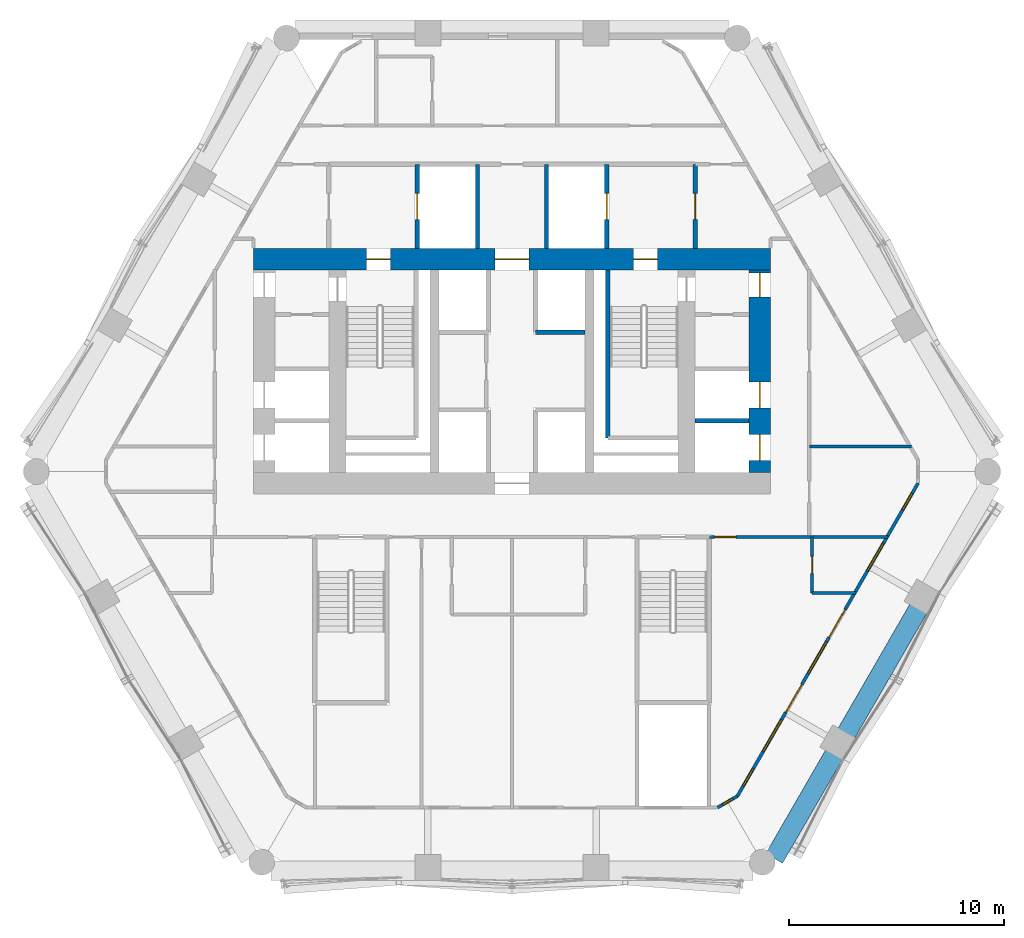
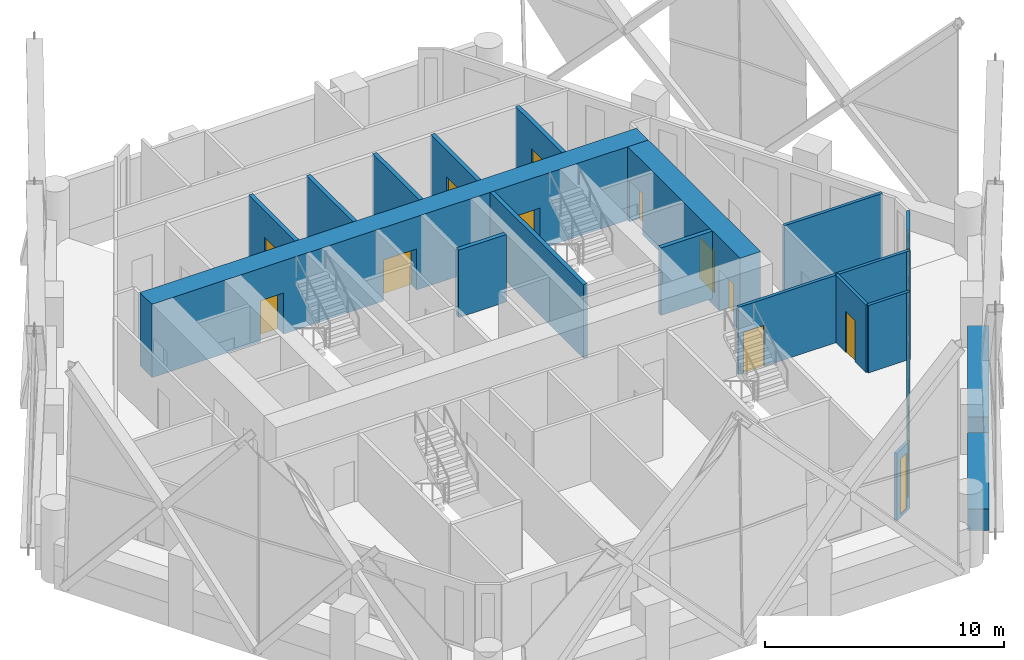
# One storey, part 14 of 21: 18 walls, 13 doors, 6 windows, 19 openings.
"""IFC4 building model written with IfcOpenShell, lengths in metres."""

from ifc_helpers import new_model, si_unit, direction, frame, frame_2d, origin, place, context, subcontext, project, spatial, rectangle, extrude, material, layer, layer_set, type_object, element, fill, save


model = new_model("IFC4")

# Units and contexts
model_context = context("Model", 3, precision=1e-05, world=origin(), true_north=direction((0.0, 1.0)))
body_context = subcontext(model_context, "Body", "Model", "MODEL_VIEW")
ifc_project = project(units=[si_unit("LENGTHUNIT", "METRE"), si_unit("AREAUNIT", "SQUARE_METRE"), si_unit("VOLUMEUNIT", "CUBIC_METRE"), si_unit("PLANEANGLEUNIT", "RADIAN"), si_unit("MASSUNIT", "GRAM", prefix="KILO")], contexts=[model_context])

# Site, building, storey
site_placement = place(None, origin())
site = spatial("IfcSite", under=ifc_project, at=site_placement, CompositionType="ELEMENT")
building_placement = place(site_placement, origin())
building = spatial("IfcBuilding", under=site, at=building_placement, Name="Ostrander Bayou Hotel Tower", CompositionType="ELEMENT")
storey_placement = place(building_placement, frame((0.0, 0.0, 116.0)))
storey = spatial("IfcBuildingStorey", under=building, at=storey_placement, Name="L28", CompositionType="ELEMENT", Elevation=116.0)

# Wall, openings, doors
ifc_material_1 = material(Name="Concrete f'c 70 MPa", Category="concrete")
ifc_layer_1 = layer(ifc_material_1, 1.0)
ifc_layer_set_1 = layer_set([ifc_layer_1], Name="CW4 core wall 1000 mm f'c 70 MPa")
wall_type_1 = type_object("IfcWallType", Name="CW4 core wall 1000 mm f'c 70 MPa", PredefinedType="SHEAR", material=ifc_layer_set_1)
wall_1_placement = place(storey_placement, frame((-12.0, 9.199951171875, -0.300048828125), z_axis=(0.0, 0.0, 1.0), x_axis=(1.0, 0.0, 0.0)))
wall_1 = element("IfcWall", 1, at=wall_1_placement, inside=storey, type_object=wall_type_1, Name="CW4 L28 N", PredefinedType="SHEAR", context=body_context, shape_type="SweptSolid", body=[
    extrude(rectangle(XDim=24.0, YDim=1.0, at=frame_2d((12.0, 0.0))), origin(), (0.0, 0.0, 1.0), 3.75),
])
opening_1_placement = place(wall_1_placement, frame((11.199951171875, 0.0, 0.0)))
opening_1 = element("IfcOpeningElement", 2, at=opening_1_placement, cuts=wall_1, Name="Opening T28-002", PredefinedType="OPENING", context=body_context, shape_type="SweptSolid", body=[
    extrude(rectangle(XDim=1.60009765625, YDim=2.10009765625, at=frame_2d((0.800048828125, 1.050048828125))), frame((0.0, 0.5, 0.0), z_axis=(0.0, -1.0, 0.0), x_axis=(1.0, 0.0, 0.0)), (0.0, 0.0, 1.0), 1.0),
])
opening_2_placement = place(wall_1_placement, frame((5.25, 0.0, 0.0)))
opening_2 = element("IfcOpeningElement", 3, at=opening_2_placement, cuts=wall_1, Name="Opening T28-003", PredefinedType="OPENING", context=body_context, shape_type="SweptSolid", body=[
    extrude(rectangle(XDim=1.10009765625, YDim=2.10009765625, at=frame_2d((0.550048828125, 1.050048828125))), frame((0.0, 0.5, 0.0), z_axis=(0.0, -1.0, 0.0), x_axis=(1.0, 0.0, 0.0)), (0.0, 0.0, 1.0), 1.0),
])
opening_3_placement = place(wall_1_placement, frame((17.64990234375, 0.0, 0.0)))
opening_3 = element("IfcOpeningElement", 4, at=opening_3_placement, cuts=wall_1, Name="Opening T28-005", PredefinedType="OPENING", context=body_context, shape_type="SweptSolid", body=[
    extrude(rectangle(XDim=1.10009765625, YDim=2.10009765625, at=frame_2d((0.550048828125, 1.050048828125))), frame((0.0, 0.5, 0.0), z_axis=(0.0, -1.0, 0.0), x_axis=(1.0, 0.0, 0.0)), (0.0, 0.0, 1.0), 1.0),
])
ifc_material_2 = material(Name="Timber door leaf", Category="wood")
door_type_1 = type_object("IfcDoorType", Name="D13 double door 1600 x 2100 mm, 1 hour", OperationType="SINGLE_SWING_LEFT", PredefinedType="DOOR", material=ifc_material_2)
door_1_placement = place(opening_1_placement, origin())
door_1 = element("IfcDoor", 5, at=door_1_placement, inside=storey, type_object=door_type_1, Name="dr:L28:002", OperationType="DOUBLE_DOOR_SINGLE_SWING", OverallHeight=2.10009765625, OverallWidth=1.60009765625, PredefinedType="DOOR", context=body_context, shape_type="SweptSolid", body=[
    extrude(rectangle(XDim=1.60009765625, YDim=2.10009765625, at=frame_2d((0.800048828125, 1.050048828125))), frame((0.0, 0.02490234375, 0.0), z_axis=(0.0, -1.0, 0.0), x_axis=(1.0, 0.0, 0.0)), (0.0, 0.0, 1.0), 0.050048828125),
])
fill(opening_1, door_1)
ifc_material_3 = material(Name="Timber door leaf", Category="wood")
door_type_2 = type_object("IfcDoorType", Name="D5 stair door 1100 x 2100 mm, 90 minute", OperationType="SINGLE_SWING_LEFT", PredefinedType="DOOR", material=ifc_material_3)
door_2_placement = place(opening_2_placement, origin())
door_2 = element("IfcDoor", 6, at=door_2_placement, inside=storey, type_object=door_type_2, Name="dr:L28:003", OperationType="SINGLE_SWING_LEFT", OverallHeight=2.10009765625, OverallWidth=1.10009765625, PredefinedType="DOOR", context=body_context, shape_type="SweptSolid", body=[
    extrude(rectangle(XDim=1.10009765625, YDim=2.10009765625, at=frame_2d((0.550048828125, 1.050048828125))), frame((0.0, 0.02490234375, 0.0), z_axis=(0.0, -1.0, 0.0), x_axis=(1.0, 0.0, 0.0)), (0.0, 0.0, 1.0), 0.050048828125),
])
fill(opening_2, door_2)
door_3_placement = place(opening_3_placement, origin())
door_3 = element("IfcDoor", 7, at=door_3_placement, inside=storey, type_object=door_type_2, Name="dr:L28:005", OperationType="SINGLE_SWING_RIGHT", OverallHeight=2.10009765625, OverallWidth=1.10009765625, PredefinedType="DOOR", context=body_context, shape_type="SweptSolid", body=[
    extrude(rectangle(XDim=1.10009765625, YDim=2.10009765625, at=frame_2d((0.550048828125, 1.050048828125))), frame((0.0, 0.02490234375, 0.0), z_axis=(0.0, -1.0, 0.0), x_axis=(1.0, 0.0, 0.0)), (0.0, 0.0, 1.0), 0.050048828125),
])
fill(opening_3, door_3)

wall_2_placement = place(storey_placement, frame((11.5, -0.699951171875, -0.300048828125), z_axis=(0.0, 0.0, 1.0), x_axis=(0.0, 1.0, 0.0)))
wall_2 = element("IfcWall", 8, at=wall_2_placement, inside=storey, type_object=wall_type_1, Name="CW4 L28 RE", PredefinedType="SHEAR", context=body_context, shape_type="SweptSolid", body=[
    extrude(rectangle(XDim=9.39990234375, YDim=1.0, at=frame_2d((4.699951171875, 0.0))), origin(), (0.0, 0.0, 1.0), 3.75),
])
opening_4_placement = place(wall_2_placement, frame((8.14990234375, 0.0, 0.0)))
opening_4 = element("IfcOpeningElement", 9, at=opening_4_placement, cuts=wall_2, Name="Opening T28-020", PredefinedType="OPENING", context=body_context, shape_type="SweptSolid", body=[
    extrude(rectangle(XDim=1.10009765625, YDim=2.10009765625, at=frame_2d((0.550048828125, 1.050048828125))), frame((0.0, 0.5, 0.0), z_axis=(0.0, -1.0, 0.0), x_axis=(1.0, 0.0, 0.0)), (0.0, 0.0, 1.0), 1.0),
])
opening_5_placement = place(wall_2_placement, frame((0.550048828125, 0.0, 0.0)))
opening_5 = element("IfcOpeningElement", 10, at=opening_5_placement, cuts=wall_2, Name="Opening T28-021", PredefinedType="OPENING", context=body_context, shape_type="SweptSolid", body=[
    extrude(rectangle(XDim=1.199951171875, YDim=2.10009765625, at=frame_2d((0.60009765625, 1.050048828125))), frame((0.0, 0.5, 0.0), z_axis=(0.0, -1.0, 0.0), x_axis=(1.0, 0.0, 0.0)), (0.0, 0.0, 1.0), 1.0),
])
opening_6_placement = place(wall_2_placement, frame((3.0, 0.0, 0.0)))
opening_6 = element("IfcOpeningElement", 11, at=opening_6_placement, cuts=wall_2, Name="Opening T28-022", PredefinedType="OPENING", context=body_context, shape_type="SweptSolid", body=[
    extrude(rectangle(XDim=1.199951171875, YDim=2.10009765625, at=frame_2d((0.60009765625, 1.050048828125))), frame((0.0, 0.5, 0.0), z_axis=(0.0, -1.0, 0.0), x_axis=(1.0, 0.0, 0.0)), (0.0, 0.0, 1.0), 1.0),
])
door_4_placement = place(opening_4_placement, origin())
door_4 = element("IfcDoor", 12, at=door_4_placement, inside=storey, type_object=door_type_2, Name="dr:L28:020", OperationType="SINGLE_SWING_RIGHT", OverallHeight=2.10009765625, OverallWidth=1.10009765625, PredefinedType="DOOR", context=body_context, shape_type="SweptSolid", body=[
    extrude(rectangle(XDim=1.10009765625, YDim=2.10009765625, at=frame_2d((0.550048828125, 1.050048828125))), frame((0.0, 0.02490234375, 0.0), z_axis=(0.0, -1.0, 0.0), x_axis=(1.0, 0.0, 0.0)), (0.0, 0.0, 1.0), 0.050048828125),
])
fill(opening_4, door_4)
ifc_material_4 = material(Name="Stainless steel sliding door", Category="steel")
door_type_3 = type_object("IfcDoorType", Name="LD1 lift landing door 1200 x 2100 mm", OperationType="SINGLE_SWING_LEFT", PredefinedType="DOOR", material=ifc_material_4)
door_5_placement = place(opening_5_placement, origin())
door_5 = element("IfcDoor", 13, at=door_5_placement, inside=storey, type_object=door_type_3, Name="dr:L28:021", OperationType="SLIDING_TO_LEFT", OverallHeight=2.10009765625, OverallWidth=1.199951171875, PredefinedType="DOOR", context=body_context, shape_type="SweptSolid", body=[
    extrude(rectangle(XDim=1.199951171875, YDim=2.10009765625, at=frame_2d((0.60009765625, 1.050048828125))), frame((0.0, 0.02490234375, 0.0), z_axis=(0.0, -1.0, 0.0), x_axis=(1.0, 0.0, 0.0)), (0.0, 0.0, 1.0), 0.050048828125),
])
fill(opening_5, door_5)
door_6_placement = place(opening_6_placement, origin())
door_6 = element("IfcDoor", 14, at=door_6_placement, inside=storey, type_object=door_type_3, Name="dr:L28:022", OperationType="SLIDING_TO_LEFT", OverallHeight=2.10009765625, OverallWidth=1.199951171875, PredefinedType="DOOR", context=body_context, shape_type="SweptSolid", body=[
    extrude(rectangle(XDim=1.199951171875, YDim=2.10009765625, at=frame_2d((0.60009765625, 1.050048828125))), frame((0.0, 0.02490234375, 0.0), z_axis=(0.0, -1.0, 0.0), x_axis=(1.0, 0.0, 0.0)), (0.0, 0.0, 1.0), 0.050048828125),
])
fill(opening_6, door_6)

# Wall, openings, doors, windows
ifc_material_5 = material(Name="Aluminium framed insulated wall", Category="aluminium")
ifc_layer_2 = layer(ifc_material_5, 0.14990234375)
ifc_layer_set_2 = layer_set([ifc_layer_2], Name="GW1 glass-line wall 150 mm")
wall_type_2 = type_object("IfcWallType", Name="GW1 glass-line wall 150 mm", PredefinedType="SOLIDWALL", material=ifc_layer_set_2)
wall_3_placement = place(storey_placement, frame((10.46337890625, -15.72705078125, 0.0), z_axis=(0.0, 0.0, 1.0), x_axis=(0.499992448691, 0.866029763491, 0.0)))
wall_3 = element("IfcWall", 15, at=wall_3_placement, inside=storey, type_object=wall_type_2, Name="GW1 L28 SE 1", PredefinedType="SOLIDWALL", context=body_context, shape_type="SweptSolid", body=[
    extrude(rectangle(XDim=16.776611328125, YDim=0.14990234375, at=frame_2d((8.38818359375, 0.0))), origin(), (0.0, 0.0, 1.0), 3.449951171875),
])
opening_7_placement = place(wall_3_placement, frame((2.38818359375, 0.0, 0.14990234375)))
opening_7 = element("IfcOpeningElement", 16, at=opening_7_placement, cuts=wall_3, Name="Opening W2", PredefinedType="OPENING", context=body_context, shape_type="SweptSolid", body=[
    extrude(rectangle(XDim=1.699951171875, YDim=2.85009765625, at=frame_2d((0.85009765625, 1.425048828125))), frame((0.0, 0.074951171875, 0.0), z_axis=(0.0, -1.0, 0.0), x_axis=(1.0, 0.0, 0.0)), (0.0, 0.0, 1.0), 0.14990234375),
])
opening_8_placement = place(wall_3_placement, frame((4.48828125, 0.0, 0.0)))
opening_8 = element("IfcOpeningElement", 17, at=opening_8_placement, cuts=wall_3, Name="Opening T28-804", PredefinedType="OPENING", context=body_context, shape_type="SweptSolid", body=[
    extrude(rectangle(XDim=1.5, YDim=2.39990234375, at=frame_2d((0.75, 1.199951171875))), frame((0.0, 0.074951171875, 0.0), z_axis=(0.0, -1.0, 0.0), x_axis=(1.0, 0.0, 0.0)), (0.0, 0.0, 1.0), 0.14990234375),
])
opening_9_placement = place(wall_3_placement, frame((6.58837890625, 0.0, 0.14990234375)))
opening_9 = element("IfcOpeningElement", 18, at=opening_9_placement, cuts=wall_3, Name="Opening W2", PredefinedType="OPENING", context=body_context, shape_type="SweptSolid", body=[
    extrude(rectangle(XDim=1.699951171875, YDim=2.85009765625, at=frame_2d((0.85009765625, 1.425048828125))), frame((0.0, 0.074951171875, 0.0), z_axis=(0.0, -1.0, 0.0), x_axis=(1.0, 0.0, 0.0)), (0.0, 0.0, 1.0), 0.14990234375),
])
opening_10_placement = place(wall_3_placement, frame((8.51123046875, 0.0, 0.0)))
opening_10 = element("IfcOpeningElement", 19, at=opening_10_placement, cuts=wall_3, Name="Opening T28-805", PredefinedType="OPENING", context=body_context, shape_type="SweptSolid", body=[
    extrude(rectangle(XDim=1.5, YDim=2.39990234375, at=frame_2d((0.75, 1.199951171875))), frame((0.0, 0.074951171875, 0.0), z_axis=(0.0, -1.0, 0.0), x_axis=(1.0, 0.0, 0.0)), (0.0, 0.0, 1.0), 0.14990234375),
])
opening_11_placement = place(wall_3_placement, frame((12.0634765625, 0.0, 0.14990234375)))
opening_11 = element("IfcOpeningElement", 20, at=opening_11_placement, cuts=wall_3, Name="Opening W12", PredefinedType="OPENING", context=body_context, shape_type="SweptSolid", body=[
    extrude(rectangle(XDim=1.5, YDim=2.85009765625, at=frame_2d((0.75, 1.425048828125))), frame((0.0, 0.074951171875, 0.0), z_axis=(0.0, -1.0, 0.0), x_axis=(1.0, 0.0, 0.0)), (0.0, 0.0, 1.0), 0.14990234375),
])
opening_12_placement = place(wall_3_placement, frame((0.544189453125, 0.0, 0.14990234375)))
opening_12 = element("IfcOpeningElement", 21, at=opening_12_placement, cuts=wall_3, Name="Opening W16", PredefinedType="OPENING", context=body_context, shape_type="SweptSolid", body=[
    extrude(rectangle(XDim=0.89990234375, YDim=2.72998046875, at=frame_2d((0.449951171875, 1.364990234375))), frame((0.0, 0.074951171875, 0.0), z_axis=(0.0, -1.0, 0.0), x_axis=(1.0, 0.0, 0.0)), (0.0, 0.0, 1.0), 0.14990234375),
])
opening_13_placement = place(wall_3_placement, frame((15.33251953125, 0.0, 0.14990234375)))
opening_13 = element("IfcOpeningElement", 22, at=opening_13_placement, cuts=wall_3, Name="Opening W16", PredefinedType="OPENING", context=body_context, shape_type="SweptSolid", body=[
    extrude(rectangle(XDim=0.89990234375, YDim=2.72998046875, at=frame_2d((0.449951171875, 1.364990234375))), frame((0.0, 0.074951171875, 0.0), z_axis=(0.0, -1.0, 0.0), x_axis=(1.0, 0.0, 0.0)), (0.0, 0.0, 1.0), 0.14990234375),
])
ifc_material_6 = material(Name="Aluminium and clear glass", Category="aluminium")
door_type_4 = type_object("IfcDoorType", Name="SD2 sliding glass door 1500 mm, zone 2", OperationType="SLIDING_TO_LEFT", PredefinedType="DOOR", material=ifc_material_6)
door_7_placement = place(opening_8_placement, origin())
door_7 = element("IfcDoor", 23, at=door_7_placement, inside=storey, type_object=door_type_4, Name="SD2 L28 SE 1", OperationType="SLIDING_TO_LEFT", OverallHeight=2.39990234375, OverallWidth=1.5, PredefinedType="DOOR", context=body_context, shape_type="SweptSolid", body=[
    extrude(rectangle(XDim=1.5, YDim=2.39990234375, at=frame_2d((0.75, 1.199951171875))), frame((0.0, 0.02490234375, 0.0), z_axis=(0.0, -1.0, 0.0), x_axis=(1.0, 0.0, 0.0)), (0.0, 0.0, 1.0), 0.050048828125),
])
fill(opening_8, door_7)
door_8_placement = place(opening_10_placement, origin())
door_8 = element("IfcDoor", 24, at=door_8_placement, inside=storey, type_object=door_type_4, Name="SD2 L28 SE 2", OperationType="SLIDING_TO_RIGHT", OverallHeight=2.39990234375, OverallWidth=1.5, PredefinedType="DOOR", context=body_context, shape_type="SweptSolid", body=[
    extrude(rectangle(XDim=1.5, YDim=2.39990234375, at=frame_2d((0.75, 1.199951171875))), frame((0.0, 0.02490234375, 0.0), z_axis=(0.0, -1.0, 0.0), x_axis=(1.0, 0.0, 0.0)), (0.0, 0.0, 1.0), 0.050048828125),
])
fill(opening_10, door_8)
ifc_material_7 = material(Name="Aluminium and clear glass", Category="aluminium")
window_type_1 = type_object("IfcWindowType", Name="W12 fixed window 1500 mm, bath bay, zone 2", PartitioningType="SINGLE_PANEL", PredefinedType="WINDOW", material=ifc_material_7)
window_1_placement = place(opening_11_placement, origin())
window_1 = element("IfcWindow", 25, at=window_1_placement, inside=storey, type_object=window_type_1, Name="W12 L28 SE 3", OverallHeight=2.85009765625, OverallWidth=1.5, PartitioningType="SINGLE_PANEL", PredefinedType="WINDOW", context=body_context, shape_type="SweptSolid", body=[
    extrude(rectangle(XDim=1.5, YDim=2.85009765625, at=frame_2d((0.75, 1.425048828125))), frame((0.0, 0.030029296875, 0.0), z_axis=(0.0, -1.0, 0.0), x_axis=(1.0, 0.0, 0.0)), (0.0, 0.0, 1.0), 0.06005859375),
])
fill(opening_11, window_1)
ifc_material_8 = material(Name="Aluminium and clear glass", Category="aluminium")
window_type_2 = type_object("IfcWindowType", Name="W16 window 900 mm, zone 2", PartitioningType="SINGLE_PANEL", PredefinedType="WINDOW", material=ifc_material_8)
window_2_placement = place(opening_12_placement, origin())
window_2 = element("IfcWindow", 26, at=window_2_placement, inside=storey, type_object=window_type_2, Name="W16 L28 SE E11", OverallHeight=2.72998046875, OverallWidth=0.89990234375, PartitioningType="SINGLE_PANEL", PredefinedType="WINDOW", context=body_context, shape_type="SweptSolid", body=[
    extrude(rectangle(XDim=0.89990234375, YDim=2.72998046875, at=frame_2d((0.449951171875, 1.364990234375))), frame((0.0, 0.030029296875, 0.0), z_axis=(0.0, -1.0, 0.0), x_axis=(1.0, 0.0, 0.0)), (0.0, 0.0, 1.0), 0.06005859375),
])
fill(opening_12, window_2)
window_3_placement = place(opening_13_placement, origin())
window_3 = element("IfcWindow", 27, at=window_3_placement, inside=storey, type_object=window_type_2, Name="W16 L28 SE E21", OverallHeight=2.72998046875, OverallWidth=0.89990234375, PartitioningType="SINGLE_PANEL", PredefinedType="WINDOW", context=body_context, shape_type="SweptSolid", body=[
    extrude(rectangle(XDim=0.89990234375, YDim=2.72998046875, at=frame_2d((0.449951171875, 1.364990234375))), frame((0.0, 0.030029296875, 0.0), z_axis=(0.0, -1.0, 0.0), x_axis=(1.0, 0.0, 0.0)), (0.0, 0.0, 1.0), 0.06005859375),
])
fill(opening_13, window_3)
ifc_material_9 = material(Name="Aluminium and clear glass", Category="aluminium")
window_type_3 = type_object("IfcWindowType", Name="W2 fixed window 1700 mm, zone 2", PartitioningType="SINGLE_PANEL", PredefinedType="WINDOW", material=ifc_material_9)
window_4_placement = place(opening_7_placement, origin())
window_4 = element("IfcWindow", 28, at=window_4_placement, inside=storey, type_object=window_type_3, Name="W2 L28 SE 1", OverallHeight=2.85009765625, OverallWidth=1.699951171875, PartitioningType="SINGLE_PANEL", PredefinedType="WINDOW", context=body_context, shape_type="SweptSolid", body=[
    extrude(rectangle(XDim=1.699951171875, YDim=2.85009765625, at=frame_2d((0.85009765625, 1.425048828125))), frame((0.0, 0.030029296875, 0.0), z_axis=(0.0, -1.0, 0.0), x_axis=(1.0, 0.0, 0.0)), (0.0, 0.0, 1.0), 0.06005859375),
])
fill(opening_7, window_4)
window_5_placement = place(opening_9_placement, origin())
window_5 = element("IfcWindow", 29, at=window_5_placement, inside=storey, type_object=window_type_3, Name="W2 L28 SE 2", OverallHeight=2.85009765625, OverallWidth=1.699951171875, PartitioningType="SINGLE_PANEL", PredefinedType="WINDOW", context=body_context, shape_type="SweptSolid", body=[
    extrude(rectangle(XDim=1.699951171875, YDim=2.85009765625, at=frame_2d((0.85009765625, 1.425048828125))), frame((0.0, 0.030029296875, 0.0), z_axis=(0.0, -1.0, 0.0), x_axis=(1.0, 0.0, 0.0)), (0.0, 0.0, 1.0), 0.06005859375),
])
fill(opening_9, window_5)

# Wall, opening, window
wall_4_placement = place(storey_placement, frame((9.541015625, -16.259521484375, 0.0), z_axis=(0.0, 0.0, 1.0), x_axis=(0.866048165231, 0.499960573946, 0.0)))
wall_4 = element("IfcWall", 30, at=wall_4_placement, inside=storey, type_object=wall_type_2, Name="GW1 L28 corner 4", PredefinedType="SOLIDWALL", context=body_context, shape_type="SweptSolid", body=[
    extrude(rectangle(XDim=1.06494140625, YDim=0.14990234375, at=frame_2d((0.532470703125, 0.0))), origin(), (0.0, 0.0, 1.0), 3.449951171875),
])
opening_14_placement = place(wall_4_placement, frame((0.257568359375, 0.0, 0.14990234375)))
opening_14 = element("IfcOpeningElement", 31, at=opening_14_placement, cuts=wall_4, Name="Opening W19", PredefinedType="OPENING", context=body_context, shape_type="SweptSolid", body=[
    extrude(rectangle(XDim=0.550048828125, YDim=2.85009765625, at=frame_2d((0.27490234375, 1.425048828125))), frame((0.0, 0.074951171875, 0.0), z_axis=(0.0, -1.0, 0.0), x_axis=(1.0, 0.0, 0.0)), (0.0, 0.0, 1.0), 0.14990234375),
])
ifc_material_10 = material(Name="Aluminium and clear glass", Category="aluminium")
window_type_4 = type_object("IfcWindowType", Name="W19 corner window 550 mm", PartitioningType="SINGLE_PANEL", PredefinedType="WINDOW", material=ifc_material_10)
window_6_placement = place(opening_14_placement, origin())
window_6 = element("IfcWindow", 32, at=window_6_placement, inside=storey, type_object=window_type_4, Name="W19 L28 corner 4", OverallHeight=2.85009765625, OverallWidth=0.550048828125, PartitioningType="SINGLE_PANEL", PredefinedType="WINDOW", context=body_context, shape_type="SweptSolid", body=[
    extrude(rectangle(XDim=0.550048828125, YDim=2.85009765625, at=frame_2d((0.27490234375, 1.425048828125))), frame((0.0, 0.030029296875, 0.0), z_axis=(0.0, -1.0, 0.0), x_axis=(1.0, 0.0, 0.0)), (0.0, 0.0, 1.0), 0.06005859375),
])
fill(opening_14, window_6)

# Walls
ifc_material_11 = material(Name="Limestone masonry", Category="masonry")
ifc_layer_3 = layer(ifc_material_11, 0.89990234375)
ifc_layer_set_3 = layer_set([ifc_layer_3], Name="PA2 limestone parapet 900 mm")
wall_type_3 = type_object("IfcWallType", Name="PA2 limestone parapet 900 mm", PredefinedType="PARAPET", material=ifc_layer_set_3)
wall_5_placement = place(storey_placement, frame((12.169921875, -18.620849609375, 0.0), z_axis=(0.0, 0.0, 1.0), x_axis=(0.500008568482, 0.866020456713, 0.0)))
element("IfcWall", 33, at=wall_5_placement, inside=storey, type_object=wall_type_3, Name="PA2 L28 SE-1", PredefinedType="PARAPET", context=body_context, shape_type="SweptSolid", body=[
    extrude(rectangle(XDim=5.564453125, YDim=0.89990234375, at=frame_2d((2.7822265625, 0.0))), origin(), (0.0, 0.0, 1.0), 1.10009765625),
])
wall_6_placement = place(storey_placement, frame((15.522216796875, -12.814697265625, 0.0), z_axis=(0.0, 0.0, 1.0), x_axis=(0.499999023957, 0.866025967302, 0.0)))
element("IfcWall", 34, at=wall_6_placement, inside=storey, type_object=wall_type_3, Name="PA2 L28 SE-2", PredefinedType="PARAPET", context=body_context, shape_type="SweptSolid", body=[
    extrude(rectangle(XDim=6.67333984375, YDim=0.89990234375, at=frame_2d((3.336669921875, 0.0))), origin(), (0.0, 0.0, 1.0), 1.10009765625),
])

# Wall, opening, door
ifc_material_12 = material(Name="Masonry block", Category="masonry")
ifc_layer_4 = layer(ifc_material_12, 0.199951171875)
ifc_layer_set_4 = layer_set([ifc_layer_4], Name="PT5 stair enclosure wall 200 mm masonry, 2 hour")
wall_type_4 = type_object("IfcWallType", Name="PT5 stair enclosure wall 200 mm masonry, 2 hour", PredefinedType="PARTITIONING", material=ifc_layer_set_4)
wall_7_placement = place(storey_placement, frame((8.5, 9.699951171875, 0.0), z_axis=(0.0, 0.0, 1.0), x_axis=(0.0, 1.0, 0.0)))
wall_7 = element("IfcWall", 35, at=wall_7_placement, inside=storey, type_object=wall_type_4, Name="cs:L28:027", PredefinedType="PARTITIONING", context=body_context, shape_type="SweptSolid", body=[
    extrude(rectangle(XDim=3.900146484375, YDim=0.199951171875, at=frame_2d((1.9501953125, 0.0))), origin(), (0.0, 0.0, 1.0), 3.449951171875),
])
opening_15_placement = place(wall_7_placement, frame((1.35009765625, 0.0, 0.0)))
opening_15 = element("IfcOpeningElement", 36, at=opening_15_placement, cuts=wall_7, Name="Opening T28-012", PredefinedType="OPENING", context=body_context, shape_type="SweptSolid", body=[
    extrude(rectangle(XDim=1.199951171875, YDim=2.10009765625, at=frame_2d((0.60009765625, 1.050048828125))), frame((0.0, 0.10009765625, 0.0), z_axis=(0.0, -1.0, 0.0), x_axis=(1.0, 0.0, 0.0)), (0.0, 0.0, 1.0), 0.199951171875),
])
ifc_material_13 = material(Name="Timber door leaf", Category="wood")
door_type_5 = type_object("IfcDoorType", Name="D7 lobby door 1200 x 2100 mm, 1 hour", OperationType="SINGLE_SWING_LEFT", PredefinedType="DOOR", material=ifc_material_13)
door_9_placement = place(opening_15_placement, origin())
door_9 = element("IfcDoor", 37, at=door_9_placement, inside=storey, type_object=door_type_5, Name="dr:L28:012", OperationType="SINGLE_SWING_LEFT", OverallHeight=2.10009765625, OverallWidth=1.199951171875, PredefinedType="DOOR", context=body_context, shape_type="SweptSolid", body=[
    extrude(rectangle(XDim=1.199951171875, YDim=2.10009765625, at=frame_2d((0.60009765625, 1.050048828125))), frame((0.0, 0.02490234375, 0.0), z_axis=(0.0, -1.0, 0.0), x_axis=(1.0, 0.0, 0.0)), (0.0, 0.0, 1.0), 0.050048828125),
])
fill(opening_15, door_9)

wall_8_placement = place(storey_placement, frame((-4.39990234375, 9.699951171875, 0.0), z_axis=(0.0, 0.0, 1.0), x_axis=(0.0, 1.0, 0.0)))
wall_8 = element("IfcWall", 38, at=wall_8_placement, inside=storey, type_object=wall_type_4, Name="cs:L28:028", PredefinedType="PARTITIONING", context=body_context, shape_type="SweptSolid", body=[
    extrude(rectangle(XDim=3.900146484375, YDim=0.199951171875, at=frame_2d((1.9501953125, 0.0))), origin(), (0.0, 0.0, 1.0), 3.449951171875),
])
opening_16_placement = place(wall_8_placement, frame((1.35009765625, 0.0, 0.0)))
opening_16 = element("IfcOpeningElement", 39, at=opening_16_placement, cuts=wall_8, Name="Opening T28-009", PredefinedType="OPENING", context=body_context, shape_type="SweptSolid", body=[
    extrude(rectangle(XDim=1.199951171875, YDim=2.10009765625, at=frame_2d((0.60009765625, 1.050048828125))), frame((0.0, 0.10009765625, 0.0), z_axis=(0.0, -1.0, 0.0), x_axis=(1.0, 0.0, 0.0)), (0.0, 0.0, 1.0), 0.199951171875),
])
door_10_placement = place(opening_16_placement, origin())
door_10 = element("IfcDoor", 40, at=door_10_placement, inside=storey, type_object=door_type_3, Name="dr:L28:009", OperationType="SLIDING_TO_LEFT", OverallHeight=2.10009765625, OverallWidth=1.199951171875, PredefinedType="DOOR", context=body_context, shape_type="SweptSolid", body=[
    extrude(rectangle(XDim=1.199951171875, YDim=2.10009765625, at=frame_2d((0.60009765625, 1.050048828125))), frame((0.0, 0.02490234375, 0.0), z_axis=(0.0, -1.0, 0.0), x_axis=(1.0, 0.0, 0.0)), (0.0, 0.0, 1.0), 0.050048828125),
])
fill(opening_16, door_10)

wall_9_placement = place(storey_placement, frame((4.39990234375, 9.699951171875, 0.0), z_axis=(0.0, 0.0, 1.0), x_axis=(0.0, 1.0, 0.0)))
wall_9 = element("IfcWall", 41, at=wall_9_placement, inside=storey, type_object=wall_type_4, Name="cs:L28:029", PredefinedType="PARTITIONING", context=body_context, shape_type="SweptSolid", body=[
    extrude(rectangle(XDim=3.900146484375, YDim=0.199951171875, at=frame_2d((1.9501953125, 0.0))), origin(), (0.0, 0.0, 1.0), 3.449951171875),
])
opening_17_placement = place(wall_9_placement, frame((1.35009765625, 0.0, 0.0)))
opening_17 = element("IfcOpeningElement", 42, at=opening_17_placement, cuts=wall_9, Name="Opening T28-011", PredefinedType="OPENING", context=body_context, shape_type="SweptSolid", body=[
    extrude(rectangle(XDim=1.199951171875, YDim=2.10009765625, at=frame_2d((0.60009765625, 1.050048828125))), frame((0.0, 0.10009765625, 0.0), z_axis=(0.0, -1.0, 0.0), x_axis=(1.0, 0.0, 0.0)), (0.0, 0.0, 1.0), 0.199951171875),
])
door_11_placement = place(opening_17_placement, origin())
door_11 = element("IfcDoor", 43, at=door_11_placement, inside=storey, type_object=door_type_3, Name="dr:L28:011", OperationType="SLIDING_TO_LEFT", OverallHeight=2.10009765625, OverallWidth=1.199951171875, PredefinedType="DOOR", context=body_context, shape_type="SweptSolid", body=[
    extrude(rectangle(XDim=1.199951171875, YDim=2.10009765625, at=frame_2d((0.60009765625, 1.050048828125))), frame((0.0, 0.02490234375, 0.0), z_axis=(0.0, -1.0, 0.0), x_axis=(1.0, 0.0, 0.0)), (0.0, 0.0, 1.0), 0.050048828125),
])
fill(opening_17, door_11)

# Walls
ifc_material_14 = material(Name="Masonry block", Category="masonry")
ifc_layer_5 = layer(ifc_material_14, 0.199951171875)
ifc_layer_set_5 = layer_set([ifc_layer_5], Name="PT6 lift shaft wall 200 mm masonry, 2 hour")
wall_type_5 = type_object("IfcWallType", Name="PT6 lift shaft wall 200 mm masonry, 2 hour", PredefinedType="PARTITIONING", material=ifc_layer_set_5)
wall_10_placement = place(storey_placement, frame((1.10009765625, 5.800048828125, 0.0), z_axis=(0.0, 0.0, 1.0), x_axis=(1.0, 0.0, 0.0)))
element("IfcWall", 44, at=wall_10_placement, inside=storey, type_object=wall_type_5, Name="cs:L28:004", PredefinedType="PARTITIONING", context=body_context, shape_type="SweptSolid", body=[
    extrude(rectangle(XDim=2.2998046875, YDim=0.199951171875, at=frame_2d((1.14990234375, 0.0))), origin(), (0.0, 0.0, 1.0), 3.449951171875),
])
for number, where, z_axis, x_axis, name in (
    (45, (-1.60009765625, 9.699951171875, 0.0), (0.0, 0.0, 1.0), (0.0, 1.0, 0.0), "cs:L28:030"),
    (46, (1.60009765625, 9.699951171875, 0.0), (0.0, 0.0, 1.0), (0.0, 1.0, 0.0), "cs:L28:031"),
):
    element("IfcWall", number, at=place(storey_placement, frame(where, z_axis=z_axis, x_axis=x_axis)), inside=storey, type_object=wall_type_5, Name=name, PredefinedType="PARTITIONING", context=body_context, shape_type="SweptSolid", body=[
        extrude(rectangle(XDim=3.900146484375, YDim=0.199951171875, at=frame_2d((1.9501953125, 0.0))), origin(), (0.0, 0.0, 1.0), 3.449951171875),
    ])
wall_11_placement = place(storey_placement, frame((8.5, 1.699951171875, 0.0), z_axis=(0.0, 0.0, 1.0), x_axis=(1.0, 0.0, 0.0)))
element("IfcWall", 47, at=wall_11_placement, inside=storey, type_object=wall_type_5, Name="cs:L28:036", PredefinedType="PARTITIONING", context=body_context, shape_type="SweptSolid", body=[
    extrude(rectangle(XDim=2.5, YDim=0.199951171875, at=frame_2d((1.25, 0.0))), origin(), (0.0, 0.0, 1.0), 3.449951171875),
])
ifc_material_15 = material(Name="Gypsum board partition", Category="finish")
ifc_layer_6 = layer(ifc_material_15, 0.14990234375)
ifc_layer_set_6 = layer_set([ifc_layer_6], Name="PT8 service band wall 150 mm, 1 hour")
wall_type_6 = type_object("IfcWallType", Name="PT8 service band wall 150 mm, 1 hour", PredefinedType="PARTITIONING", material=ifc_layer_set_6)
wall_12_placement = place(storey_placement, frame((13.929931640625, -6.300048828125, 0.0), z_axis=(0.0, 0.0, 1.0), x_axis=(1.0, 0.0, 0.0)))
element("IfcWall", 48, at=wall_12_placement, inside=storey, type_object=wall_type_6, Name="gw:L28:003", PredefinedType="PARTITIONING", context=body_context, shape_type="SweptSolid", body=[
    extrude(rectangle(XDim=2.028076171875, YDim=0.14990234375, at=frame_2d((1.01416015625, 0.0))), origin(), (0.0, 0.0, 1.0), 3.449951171875),
])

# Wall, opening, door
wall_13_placement = place(storey_placement, frame((9.159912109375, -3.699951171875, 0.0), z_axis=(0.0, 0.0, 1.0), x_axis=(1.0, 0.0, 0.0)))
wall_13 = element("IfcWall", 49, at=wall_13_placement, inside=storey, type_object=wall_type_6, Name="gw:L28:006", PredefinedType="PARTITIONING", context=body_context, shape_type="SweptSolid", body=[
    extrude(rectangle(XDim=8.299072265625, YDim=0.14990234375, at=frame_2d((4.1494140625, 0.0))), origin(), (0.0, 0.0, 1.0), 3.449951171875),
])
opening_18_placement = place(wall_13_placement, frame((0.239990234375, 0.0, 0.0)))
opening_18 = element("IfcOpeningElement", 50, at=opening_18_placement, cuts=wall_13, Name="Opening T28-407", PredefinedType="OPENING", context=body_context, shape_type="SweptSolid", body=[
    extrude(rectangle(XDim=1.0, YDim=2.10009765625, at=frame_2d((0.5, 1.050048828125))), frame((0.0, 0.074951171875, 0.0), z_axis=(0.0, -1.0, 0.0), x_axis=(1.0, 0.0, 0.0)), (0.0, 0.0, 1.0), 0.14990234375),
])
ifc_material_16 = material(Name="Timber door leaf", Category="wood")
door_type_6 = type_object("IfcDoorType", Name="D1 guest room door 1000 x 2100 mm, 30 minute", OperationType="SINGLE_SWING_LEFT", PredefinedType="DOOR", material=ifc_material_16)
door_12_placement = place(opening_18_placement, origin())
door_12 = element("IfcDoor", 51, at=door_12_placement, inside=storey, type_object=door_type_6, Name="dr:L28:407", OperationType="SINGLE_SWING_LEFT", OverallHeight=2.10009765625, OverallWidth=1.0, PredefinedType="DOOR", context=body_context, shape_type="SweptSolid", body=[
    extrude(rectangle(XDim=1.0, YDim=2.10009765625, at=frame_2d((0.5, 1.050048828125))), frame((0.0, 0.02490234375, 0.0), z_axis=(0.0, -1.0, 0.0), x_axis=(1.0, 0.0, 0.0)), (0.0, 0.0, 1.0), 0.050048828125),
])
fill(opening_18, door_12)

# Wall
wall_14_placement = place(storey_placement, frame((13.800048828125, 0.5, 0.0), z_axis=(0.0, 0.0, 1.0), x_axis=(1.0, 0.0, 0.0)))
element("IfcWall", 52, at=wall_14_placement, inside=storey, type_object=wall_type_6, Name="gw:L28:009", PredefinedType="PARTITIONING", context=body_context, shape_type="SweptSolid", body=[
    extrude(rectangle(XDim=4.738037109375, YDim=0.14990234375, at=frame_2d((2.369140625, 0.0))), origin(), (0.0, 0.0, 1.0), 3.449951171875),
])

# Wall, opening, door
wall_15_placement = place(storey_placement, frame((13.929931640625, -6.300048828125, 0.0), z_axis=(0.0, 0.0, 1.0), x_axis=(0.0, 1.0, 0.0)))
wall_15 = element("IfcWall", 53, at=wall_15_placement, inside=storey, type_object=wall_type_6, Name="gw:L28:016", PredefinedType="PARTITIONING", context=body_context, shape_type="SweptSolid", body=[
    extrude(rectangle(XDim=2.60009765625, YDim=0.14990234375, at=frame_2d((1.300048828125, 0.0))), origin(), (0.0, 0.0, 1.0), 3.449951171875),
])
opening_19_placement = place(wall_15_placement, frame((0.89990234375, 0.0, 0.0)))
opening_19 = element("IfcOpeningElement", 54, at=opening_19_placement, cuts=wall_15, Name="Opening T28-408", PredefinedType="OPENING", context=body_context, shape_type="SweptSolid", body=[
    extrude(rectangle(XDim=0.800048828125, YDim=2.10009765625, at=frame_2d((0.39990234375, 1.050048828125))), frame((0.0, 0.074951171875, 0.0), z_axis=(0.0, -1.0, 0.0), x_axis=(1.0, 0.0, 0.0)), (0.0, 0.0, 1.0), 0.14990234375),
])
ifc_material_17 = material(Name="Timber door leaf", Category="wood")
door_type_7 = type_object("IfcDoorType", Name="D2 bathroom door 800 x 2100 mm", OperationType="SINGLE_SWING_LEFT", PredefinedType="DOOR", material=ifc_material_17)
door_13_placement = place(opening_19_placement, origin())
door_13 = element("IfcDoor", 55, at=door_13_placement, inside=storey, type_object=door_type_7, Name="dr:L28:408", OperationType="SINGLE_SWING_RIGHT", OverallHeight=2.10009765625, OverallWidth=0.800048828125, PredefinedType="DOOR", context=body_context, shape_type="SweptSolid", body=[
    extrude(rectangle(XDim=0.800048828125, YDim=2.10009765625, at=frame_2d((0.39990234375, 1.050048828125))), frame((0.0, 0.02490234375, 0.0), z_axis=(0.0, -1.0, 0.0), x_axis=(1.0, 0.0, 0.0)), (0.0, 0.0, 1.0), 0.050048828125),
])
fill(opening_19, door_13)

# Wall
ifc_material_18 = material(Name="Concrete f'c 45 MPa", Category="concrete")
ifc_layer_7 = layer(ifc_material_18, 0.199951171875)
ifc_layer_set_7 = layer_set([ifc_layer_7], Name="SW5 stair enclosure wall 200 mm f'c 45 MPa")
wall_type_7 = type_object("IfcWallType", Name="SW5 stair enclosure wall 200 mm f'c 45 MPa", PredefinedType="SOLIDWALL", material=ifc_layer_set_7)
wall_16_placement = place(storey_placement, frame((4.449951171875, 0.89990234375, -0.300048828125), z_axis=(0.0, 0.0, 1.0), x_axis=(0.0, 1.0, 0.0)))
element("IfcWall", 56, at=wall_16_placement, inside=storey, type_object=wall_type_7, Name="cs:L28:012", PredefinedType="SOLIDWALL", context=body_context, shape_type="SweptSolid", body=[
    extrude(rectangle(XDim=7.800048828125, YDim=0.199951171875, at=frame_2d((3.89990234375, 0.0))), origin(), (0.0, 0.0, 1.0), 3.75),
])

save(model, "model.ifc")
